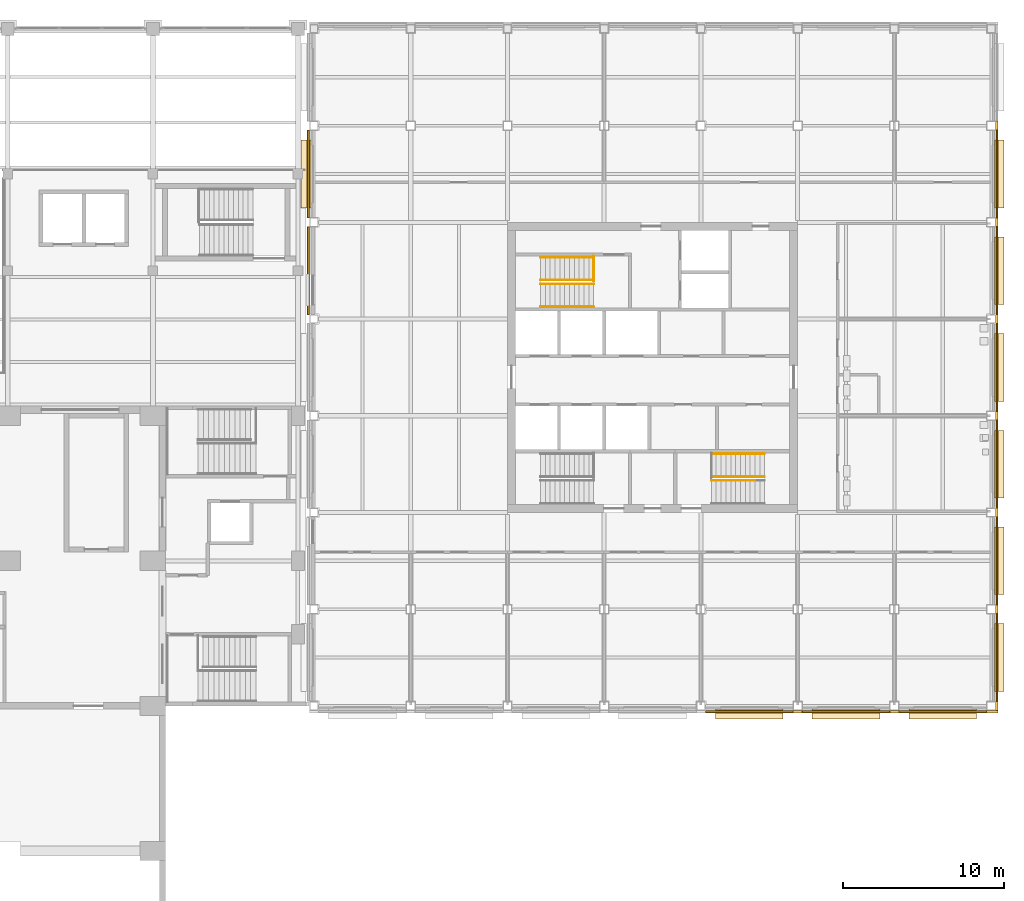
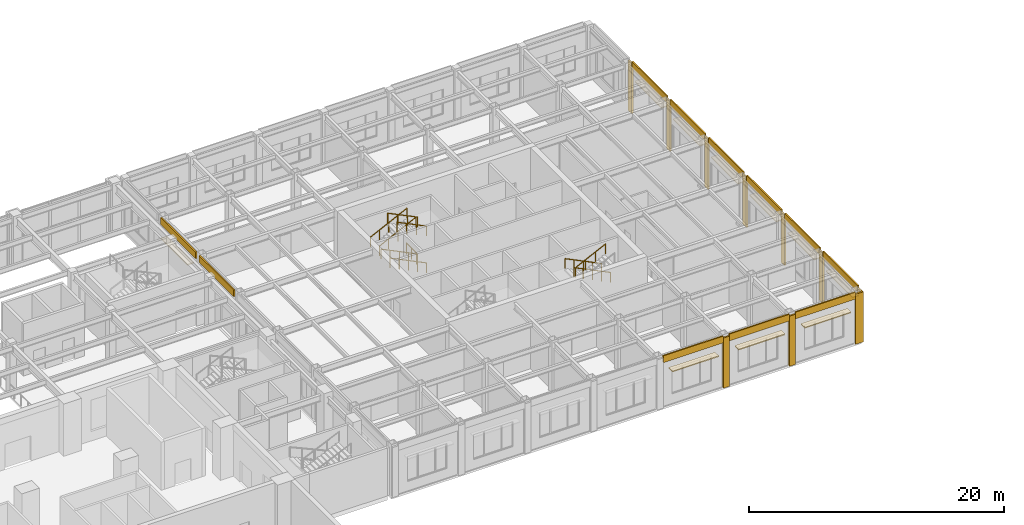
# One storey, part 73 of 76: 31 coverings, 10 railings.
"""IFC4 building model written with IfcOpenShell, lengths in metres."""

from ifc_helpers import new_model, si_unit, direction, frame, origin, origin_2d, place, context, subcontext, project, spatial, polyline, circle, outline, extrude, material, layer, layer_set, type_object, element, save


model = new_model("IFC4")

# Units and contexts
model_context = context("Model", 3, precision=1e-05, world=origin(), true_north=direction((0.0, 1.0)))
body_context = subcontext(model_context, "Body", "Model", "MODEL_VIEW")
ifc_project = project(units=[si_unit("LENGTHUNIT", "METRE"), si_unit("AREAUNIT", "SQUARE_METRE"), si_unit("VOLUMEUNIT", "CUBIC_METRE"), si_unit("PLANEANGLEUNIT", "RADIAN"), si_unit("MASSUNIT", "GRAM", prefix="KILO")], contexts=[model_context])

# Site, building, storey
site_placement = place(None, origin())
site = spatial("IfcSite", under=ifc_project, at=site_placement, CompositionType="ELEMENT")
building_placement = place(site_placement, origin())
building = spatial("IfcBuilding", under=site, at=building_placement, Name="Aravalli Gate Trade Fair Centre", CompositionType="ELEMENT")
storey_placement = place(building_placement, frame((0.0, 0.0, 10.0)))
storey = spatial("IfcBuildingStorey", under=building, at=storey_placement, Name="L02", CompositionType="ELEMENT", Elevation=10.0)

# Coverings
ifc_material_1 = material(Name="Terracotta", Category="masonry")
ifc_layer_1 = layer(ifc_material_1, 0.10009765625)
ifc_layer_set_1 = layer_set([ifc_layer_1], Name="Terracotta")
covering_type_1 = type_object("IfcCoveringType", Name="Wing chhajja hood 100", PredefinedType="MOLDING", material=ifc_layer_set_1)
covering_1_placement = place(storey_placement, frame((0.0, 0.0, 3.449951171875)))
element("IfcCovering", 1, at=covering_1_placement, inside=storey, type_object=covering_type_1, Name="Chhajja hood S4 L02", PredefinedType="MOLDING", context=body_context, shape_type="SweptSolid", body=[
    extrude(outline(polyline([(184.89990234375, 90.199951171875), (189.10009765625, 90.199951171875), (189.10009765625, 90.800048828125), (184.89990234375, 90.800048828125), (184.89990234375, 90.199951171875)])), origin(), (0.0, 0.0, 1.0), 0.10009765625),
])
covering_2_placement = place(storey_placement, frame((0.0, 0.0, 3.449951171875)))
element("IfcCovering", 2, at=covering_2_placement, inside=storey, type_object=covering_type_1, Name="Chhajja hood S5 L02", PredefinedType="MOLDING", context=body_context, shape_type="SweptSolid", body=[
    extrude(outline(polyline([(190.89990234375, 90.199951171875), (195.10009765625, 90.199951171875), (195.10009765625, 90.800048828125), (190.89990234375, 90.800048828125), (190.89990234375, 90.199951171875)])), origin(), (0.0, 0.0, 1.0), 0.10009765625),
])
covering_3_placement = place(storey_placement, frame((0.0, 0.0, 3.449951171875)))
element("IfcCovering", 3, at=covering_3_placement, inside=storey, type_object=covering_type_1, Name="Chhajja hood S6 L02", PredefinedType="MOLDING", context=body_context, shape_type="SweptSolid", body=[
    extrude(outline(polyline([(196.89990234375, 90.199951171875), (201.10009765625, 90.199951171875), (201.10009765625, 90.800048828125), (196.89990234375, 90.800048828125), (196.89990234375, 90.199951171875)])), origin(), (0.0, 0.0, 1.0), 0.10009765625),
])
covering_4_placement = place(storey_placement, frame((0.0, 0.0, 3.449951171875)))
element("IfcCovering", 4, at=covering_4_placement, inside=storey, type_object=covering_type_1, Name="Chhajja hood W5 L02", PredefinedType="MOLDING", context=body_context, shape_type="SweptSolid", body=[
    extrude(outline(polyline([(159.199951171875, 121.89990234375), (159.800048828125, 121.89990234375), (159.800048828125, 126.10009765625), (159.199951171875, 126.10009765625), (159.199951171875, 121.89990234375)])), origin(), (0.0, 0.0, 1.0), 0.10009765625),
])
covering_5_placement = place(storey_placement, frame((0.0, 0.0, 3.449951171875)))
element("IfcCovering", 5, at=covering_5_placement, inside=storey, type_object=covering_type_1, Name="Chhajja hood E0 L02", PredefinedType="MOLDING", context=body_context, shape_type="SweptSolid", body=[
    extrude(outline(polyline([(202.199951171875, 91.89990234375), (202.800048828125, 91.89990234375), (202.800048828125, 96.10009765625), (202.199951171875, 96.10009765625), (202.199951171875, 91.89990234375)])), origin(), (0.0, 0.0, 1.0), 0.10009765625),
])
covering_6_placement = place(storey_placement, frame((0.0, 0.0, 3.449951171875)))
element("IfcCovering", 6, at=covering_6_placement, inside=storey, type_object=covering_type_1, Name="Chhajja hood E1 L02", PredefinedType="MOLDING", context=body_context, shape_type="SweptSolid", body=[
    extrude(outline(polyline([(202.199951171875, 97.89990234375), (202.800048828125, 97.89990234375), (202.800048828125, 102.10009765625), (202.199951171875, 102.10009765625), (202.199951171875, 97.89990234375)])), origin(), (0.0, 0.0, 1.0), 0.10009765625),
])
covering_7_placement = place(storey_placement, frame((0.0, 0.0, 3.449951171875)))
element("IfcCovering", 7, at=covering_7_placement, inside=storey, type_object=covering_type_1, Name="Chhajja hood E2 L02", PredefinedType="MOLDING", context=body_context, shape_type="SweptSolid", body=[
    extrude(outline(polyline([(202.199951171875, 103.89990234375), (202.800048828125, 103.89990234375), (202.800048828125, 108.10009765625), (202.199951171875, 108.10009765625), (202.199951171875, 103.89990234375)])), origin(), (0.0, 0.0, 1.0), 0.10009765625),
])
covering_8_placement = place(storey_placement, frame((0.0, 0.0, 3.449951171875)))
element("IfcCovering", 8, at=covering_8_placement, inside=storey, type_object=covering_type_1, Name="Chhajja hood E3 L02", PredefinedType="MOLDING", context=body_context, shape_type="SweptSolid", body=[
    extrude(outline(polyline([(202.199951171875, 109.89990234375), (202.800048828125, 109.89990234375), (202.800048828125, 114.10009765625), (202.199951171875, 114.10009765625), (202.199951171875, 109.89990234375)])), origin(), (0.0, 0.0, 1.0), 0.10009765625),
])
covering_9_placement = place(storey_placement, frame((0.0, 0.0, 3.449951171875)))
element("IfcCovering", 9, at=covering_9_placement, inside=storey, type_object=covering_type_1, Name="Chhajja hood E4 L02", PredefinedType="MOLDING", context=body_context, shape_type="SweptSolid", body=[
    extrude(outline(polyline([(202.199951171875, 115.89990234375), (202.800048828125, 115.89990234375), (202.800048828125, 120.10009765625), (202.199951171875, 120.10009765625), (202.199951171875, 115.89990234375)])), origin(), (0.0, 0.0, 1.0), 0.10009765625),
])
covering_10_placement = place(storey_placement, frame((0.0, 0.0, 3.449951171875)))
element("IfcCovering", 10, at=covering_10_placement, inside=storey, type_object=covering_type_1, Name="Chhajja hood E5 L02", PredefinedType="MOLDING", context=body_context, shape_type="SweptSolid", body=[
    extrude(outline(polyline([(202.199951171875, 121.89990234375), (202.800048828125, 121.89990234375), (202.800048828125, 126.10009765625), (202.199951171875, 126.10009765625), (202.199951171875, 121.89990234375)])), origin(), (0.0, 0.0, 1.0), 0.10009765625),
])
ifc_material_2 = material(Name="Terracotta lattice", Category="masonry")
ifc_layer_2 = layer(ifc_material_2, 0.1201171875)
ifc_layer_set_2 = layer_set([ifc_layer_2], Name="Terracotta lattice")
covering_type_2 = type_object("IfcCoveringType", Name="Wing jali spandrel panel 120", PredefinedType="CLADDING", material=ifc_layer_set_2)
covering_11_placement = place(storey_placement, frame((0.0, 0.0, 4.35009765625)))
element("IfcCovering", 11, at=covering_11_placement, inside=storey, type_object=covering_type_2, Name="Jali spandrel panel S4 L02", PredefinedType="CLADDING", context=body_context, shape_type="SweptSolid", body=[
    extrude(outline(polyline([(184.27490234375, 90.574951171875), (189.72509765625, 90.574951171875), (189.72509765625, 90.695068359375), (184.27490234375, 90.695068359375), (184.27490234375, 90.574951171875)])), origin(), (0.0, 0.0, 1.0), 0.64990234375),
])
covering_12_placement = place(storey_placement, frame((0.0, 0.0, 4.35009765625)))
element("IfcCovering", 12, at=covering_12_placement, inside=storey, type_object=covering_type_2, Name="Jali spandrel panel S5 L02", PredefinedType="CLADDING", context=body_context, shape_type="SweptSolid", body=[
    extrude(outline(polyline([(190.27490234375, 90.574951171875), (195.72509765625, 90.574951171875), (195.72509765625, 90.695068359375), (190.27490234375, 90.695068359375), (190.27490234375, 90.574951171875)])), origin(), (0.0, 0.0, 1.0), 0.64990234375),
])
covering_13_placement = place(storey_placement, frame((0.0, 0.0, 4.35009765625)))
element("IfcCovering", 13, at=covering_13_placement, inside=storey, type_object=covering_type_2, Name="Jali spandrel panel S6 L02", PredefinedType="CLADDING", context=body_context, shape_type="SweptSolid", body=[
    extrude(outline(polyline([(196.27490234375, 90.574951171875), (201.72509765625, 90.574951171875), (201.72509765625, 90.695068359375), (196.27490234375, 90.695068359375), (196.27490234375, 90.574951171875)])), origin(), (0.0, 0.0, 1.0), 0.64990234375),
])
ifc_material_3 = material(Name="Glazed terracotta", Category="masonry")
ifc_layer_3 = layer(ifc_material_3, 0.14990234375)
ifc_layer_set_3 = layer_set([ifc_layer_3], Name="Glazed terracotta")
covering_type_3 = type_object("IfcCoveringType", Name="Wing pier casing 150", PredefinedType="CLADDING", material=ifc_layer_set_3)
covering_14_placement = place(storey_placement, origin())
element("IfcCovering", 14, at=covering_14_placement, inside=storey, type_object=covering_type_3, Name="Pier casing 23F S L02", PredefinedType="CLADDING", context=body_context, shape_type="SweptSolid", body=[
    extrude(outline(polyline([(189.72509765625, 90.574951171875), (190.27490234375, 90.574951171875), (190.27490234375, 90.72509765625), (189.72509765625, 90.72509765625), (189.72509765625, 90.574951171875)])), origin(), (0.0, 0.0, 1.0), 4.800048828125),
])
covering_15_placement = place(storey_placement, origin())
element("IfcCovering", 15, at=covering_15_placement, inside=storey, type_object=covering_type_3, Name="Pier casing 24F S L02", PredefinedType="CLADDING", context=body_context, shape_type="SweptSolid", body=[
    extrude(outline(polyline([(195.72509765625, 90.574951171875), (196.27490234375, 90.574951171875), (196.27490234375, 90.72509765625), (195.72509765625, 90.72509765625), (195.72509765625, 90.574951171875)])), origin(), (0.0, 0.0, 1.0), 4.800048828125),
])
covering_16_placement = place(storey_placement, origin())
element("IfcCovering", 16, at=covering_16_placement, inside=storey, type_object=covering_type_3, Name="Pier casing 25F S L02", PredefinedType="CLADDING", context=body_context, shape_type="SweptSolid", body=[
    extrude(outline(polyline([(201.72509765625, 90.574951171875), (202.425048828125, 90.574951171875), (202.425048828125, 90.72509765625), (201.72509765625, 90.72509765625), (201.72509765625, 90.574951171875)])), origin(), (0.0, 0.0, 1.0), 4.800048828125),
])
covering_17_placement = place(storey_placement, origin())
element("IfcCovering", 17, at=covering_17_placement, inside=storey, type_object=covering_type_3, Name="Pier casing 25F E L02", PredefinedType="CLADDING", context=body_context, shape_type="SweptSolid", body=[
    extrude(outline(polyline([(202.27490234375, 90.72509765625), (202.425048828125, 90.72509765625), (202.425048828125, 91.27490234375), (202.27490234375, 91.27490234375), (202.27490234375, 90.72509765625)])), origin(), (0.0, 0.0, 1.0), 4.800048828125),
])
covering_18_placement = place(storey_placement, origin())
element("IfcCovering", 18, at=covering_18_placement, inside=storey, type_object=covering_type_3, Name="Pier casing 25T1 E L02", PredefinedType="CLADDING", context=body_context, shape_type="SweptSolid", body=[
    extrude(outline(polyline([(202.27490234375, 96.72509765625), (202.425048828125, 96.72509765625), (202.425048828125, 97.27490234375), (202.27490234375, 97.27490234375), (202.27490234375, 96.72509765625)])), origin(), (0.0, 0.0, 1.0), 4.800048828125),
])
covering_19_placement = place(storey_placement, origin())
element("IfcCovering", 19, at=covering_19_placement, inside=storey, type_object=covering_type_3, Name="Pier casing 25T2 E L02", PredefinedType="CLADDING", context=body_context, shape_type="SweptSolid", body=[
    extrude(outline(polyline([(202.27490234375, 102.72509765625), (202.425048828125, 102.72509765625), (202.425048828125, 103.27490234375), (202.27490234375, 103.27490234375), (202.27490234375, 102.72509765625)])), origin(), (0.0, 0.0, 1.0), 4.800048828125),
])
covering_20_placement = place(storey_placement, origin())
element("IfcCovering", 20, at=covering_20_placement, inside=storey, type_object=covering_type_3, Name="Pier casing 25H E L02", PredefinedType="CLADDING", context=body_context, shape_type="SweptSolid", body=[
    extrude(outline(polyline([(202.27490234375, 108.72509765625), (202.425048828125, 108.72509765625), (202.425048828125, 109.27490234375), (202.27490234375, 109.27490234375), (202.27490234375, 108.72509765625)])), origin(), (0.0, 0.0, 1.0), 4.800048828125),
])
covering_21_placement = place(storey_placement, origin())
element("IfcCovering", 21, at=covering_21_placement, inside=storey, type_object=covering_type_3, Name="Pier casing 25T3 E L02", PredefinedType="CLADDING", context=body_context, shape_type="SweptSolid", body=[
    extrude(outline(polyline([(202.27490234375, 114.72509765625), (202.425048828125, 114.72509765625), (202.425048828125, 115.27490234375), (202.27490234375, 115.27490234375), (202.27490234375, 114.72509765625)])), origin(), (0.0, 0.0, 1.0), 4.800048828125),
])
covering_22_placement = place(storey_placement, origin())
element("IfcCovering", 22, at=covering_22_placement, inside=storey, type_object=covering_type_3, Name="Pier casing 25J E L02", PredefinedType="CLADDING", context=body_context, shape_type="SweptSolid", body=[
    extrude(outline(polyline([(202.27490234375, 120.72509765625), (202.425048828125, 120.72509765625), (202.425048828125, 121.27490234375), (202.27490234375, 121.27490234375), (202.27490234375, 120.72509765625)])), origin(), (0.0, 0.0, 1.0), 4.800048828125),
])
covering_23_placement = place(storey_placement, origin())
element("IfcCovering", 23, at=covering_23_placement, inside=storey, type_object=covering_type_3, Name="Pier casing 25T4 E L02", PredefinedType="CLADDING", context=body_context, shape_type="SweptSolid", body=[
    extrude(outline(polyline([(202.27490234375, 126.72509765625), (202.425048828125, 126.72509765625), (202.425048828125, 127.27490234375), (202.27490234375, 127.27490234375), (202.27490234375, 126.72509765625)])), origin(), (0.0, 0.0, 1.0), 4.800048828125),
])
ifc_layer_4 = layer(ifc_material_3, 0.1201171875)
ifc_layer_set_4 = layer_set([ifc_layer_4], Name="Glazed terracotta")
covering_type_4 = type_object("IfcCoveringType", Name="Wing spandrel band 120", PredefinedType="CLADDING", material=ifc_layer_set_4)
covering_24_placement = place(storey_placement, frame((0.0, 0.0, 4.35009765625)))
element("IfcCovering", 24, at=covering_24_placement, inside=storey, type_object=covering_type_4, Name="Spandrel band W4 L02", PredefinedType="CLADDING", context=body_context, shape_type="SweptSolid", body=[
    extrude(outline(polyline([(159.574951171875, 115.27490234375), (159.695068359375, 115.27490234375), (159.695068359375, 120.72509765625), (159.574951171875, 120.72509765625), (159.574951171875, 115.27490234375)])), origin(), (0.0, 0.0, 1.0), 0.64990234375),
])
covering_25_placement = place(storey_placement, frame((0.0, 0.0, 4.35009765625)))
element("IfcCovering", 25, at=covering_25_placement, inside=storey, type_object=covering_type_4, Name="Spandrel band W5 L02", PredefinedType="CLADDING", context=body_context, shape_type="SweptSolid", body=[
    extrude(outline(polyline([(159.574951171875, 121.27490234375), (159.695068359375, 121.27490234375), (159.695068359375, 126.72509765625), (159.574951171875, 126.72509765625), (159.574951171875, 121.27490234375)])), origin(), (0.0, 0.0, 1.0), 0.64990234375),
])
covering_26_placement = place(storey_placement, frame((0.0, 0.0, 4.35009765625)))
element("IfcCovering", 26, at=covering_26_placement, inside=storey, type_object=covering_type_4, Name="Spandrel band E0 L02", PredefinedType="CLADDING", context=body_context, shape_type="SweptSolid", body=[
    extrude(outline(polyline([(202.304931640625, 91.27490234375), (202.425048828125, 91.27490234375), (202.425048828125, 96.72509765625), (202.304931640625, 96.72509765625), (202.304931640625, 91.27490234375)])), origin(), (0.0, 0.0, 1.0), 0.64990234375),
])
covering_27_placement = place(storey_placement, frame((0.0, 0.0, 4.35009765625)))
element("IfcCovering", 27, at=covering_27_placement, inside=storey, type_object=covering_type_4, Name="Spandrel band E1 L02", PredefinedType="CLADDING", context=body_context, shape_type="SweptSolid", body=[
    extrude(outline(polyline([(202.304931640625, 97.27490234375), (202.425048828125, 97.27490234375), (202.425048828125, 102.72509765625), (202.304931640625, 102.72509765625), (202.304931640625, 97.27490234375)])), origin(), (0.0, 0.0, 1.0), 0.64990234375),
])
covering_28_placement = place(storey_placement, frame((0.0, 0.0, 4.35009765625)))
element("IfcCovering", 28, at=covering_28_placement, inside=storey, type_object=covering_type_4, Name="Spandrel band E2 L02", PredefinedType="CLADDING", context=body_context, shape_type="SweptSolid", body=[
    extrude(outline(polyline([(202.304931640625, 103.27490234375), (202.425048828125, 103.27490234375), (202.425048828125, 108.72509765625), (202.304931640625, 108.72509765625), (202.304931640625, 103.27490234375)])), origin(), (0.0, 0.0, 1.0), 0.64990234375),
])
covering_29_placement = place(storey_placement, frame((0.0, 0.0, 4.35009765625)))
element("IfcCovering", 29, at=covering_29_placement, inside=storey, type_object=covering_type_4, Name="Spandrel band E3 L02", PredefinedType="CLADDING", context=body_context, shape_type="SweptSolid", body=[
    extrude(outline(polyline([(202.304931640625, 109.27490234375), (202.425048828125, 109.27490234375), (202.425048828125, 114.72509765625), (202.304931640625, 114.72509765625), (202.304931640625, 109.27490234375)])), origin(), (0.0, 0.0, 1.0), 0.64990234375),
])
covering_30_placement = place(storey_placement, frame((0.0, 0.0, 4.35009765625)))
element("IfcCovering", 30, at=covering_30_placement, inside=storey, type_object=covering_type_4, Name="Spandrel band E4 L02", PredefinedType="CLADDING", context=body_context, shape_type="SweptSolid", body=[
    extrude(outline(polyline([(202.304931640625, 115.27490234375), (202.425048828125, 115.27490234375), (202.425048828125, 120.72509765625), (202.304931640625, 120.72509765625), (202.304931640625, 115.27490234375)])), origin(), (0.0, 0.0, 1.0), 0.64990234375),
])
covering_31_placement = place(storey_placement, frame((0.0, 0.0, 4.35009765625)))
element("IfcCovering", 31, at=covering_31_placement, inside=storey, type_object=covering_type_4, Name="Spandrel band E5 L02", PredefinedType="CLADDING", context=body_context, shape_type="SweptSolid", body=[
    extrude(outline(polyline([(202.304931640625, 121.27490234375), (202.425048828125, 121.27490234375), (202.425048828125, 126.72509765625), (202.304931640625, 126.72509765625), (202.304931640625, 121.27490234375)])), origin(), (0.0, 0.0, 1.0), 0.64990234375),
])

# Railings
ifc_material_4 = material(Name="Steel E350", Category="steel")
railing_type_1 = type_object("IfcRailingType", Name="Wing stair handrail", PredefinedType="HANDRAIL", material=ifc_material_4)
for number, where, name in (
    (32, (187.949951171875, 105.219970703125, 1.911865234375), "Handrail S1 L02 2a"),
    (33, (187.949951171875, 106.639892578125, 1.911865234375), "Handrail S1 L02 2b"),
):
    element("IfcRailing", number, at=place(storey_placement, frame(where)), inside=storey, type_object=railing_type_1, Name=name, PredefinedType="HANDRAIL", context=body_context, shape_type="SweptSolid", body=[
        extrude(circle(Radius=0.02392578125, at=origin_2d()), frame((0.0, 0.0, 0.92578125), z_axis=(-0.897946461621, 0.0, 0.440104705795), x_axis=(0.0, -1.0, 0.0)), (0.0, 0.0, 1.0), 3.675048828125),
        extrude(circle(Radius=0.02099609375, at=origin_2d()), origin(), (0.0, 0.0, 1.0), 0.90185546875),
        extrude(circle(Radius=0.02099609375, at=origin_2d()), frame((-0.824951171875, 0.0, 0.404296875)), (0.0, 0.0, 1.0), 0.90185546875),
        extrude(circle(Radius=0.02099609375, at=origin_2d()), frame((-1.64990234375, 0.0, 0.80859375)), (0.0, 0.0, 1.0), 0.90185546875),
        extrude(circle(Radius=0.02099609375, at=origin_2d()), frame((-2.47509765625, 0.0, 1.213134765625)), (0.0, 0.0, 1.0), 0.90185546875),
        extrude(circle(Radius=0.02099609375, at=origin_2d()), frame((-3.300048828125, 0.0, 1.617431640625)), (0.0, 0.0, 1.0), 0.90185546875),
    ])
railing_1_placement = place(storey_placement, frame((184.64990234375, 104.97998046875, 3.676513671875)))
element("IfcRailing", 34, at=railing_1_placement, inside=storey, type_object=railing_type_1, Name="Handrail S1 L02 3b", PredefinedType="HANDRAIL", context=body_context, shape_type="SweptSolid", body=[
    extrude(circle(Radius=0.02392578125, at=origin_2d()), frame((0.0, 0.0, 0.92578125), z_axis=(0.897938967857, 0.0, 0.440119995005), x_axis=(0.0, 1.0, 0.0)), (0.0, 0.0, 1.0), 3.007080078125),
    extrude(circle(Radius=0.02099609375, at=origin_2d()), origin(), (0.0, 0.0, 1.0), 0.90185546875),
    extrude(circle(Radius=0.02099609375, at=origin_2d()), frame((0.900146484375, 0.0, 0.441162109375)), (0.0, 0.0, 1.0), 0.90185546875),
    extrude(circle(Radius=0.02099609375, at=origin_2d()), frame((1.800048828125, 0.0, 0.88232421875)), (0.0, 0.0, 1.0), 0.90185546875),
    extrude(circle(Radius=0.02099609375, at=origin_2d()), frame((2.7001953125, 0.0, 1.323486328125)), (0.0, 0.0, 1.0), 0.90185546875),
])
for number, where, name in (
    (35, (177.35009765625, 115.760009765625, 0.14697265625), "Handrail FFS L02 1a"),
    (36, (177.35009765625, 117.179931640625, 0.14697265625), "Handrail FFS L02 1b"),
):
    element("IfcRailing", number, at=place(storey_placement, frame(where)), inside=storey, type_object=railing_type_1, Name=name, PredefinedType="HANDRAIL", context=body_context, shape_type="SweptSolid", body=[
        extrude(circle(Radius=0.02392578125, at=origin_2d()), frame((0.0, 0.0, 0.92578125), z_axis=(-0.897920207933, 0.0, 0.440158267202), x_axis=(0.0, -1.0, 0.0)), (0.0, 0.0, 1.0), 3.67529296875),
        extrude(circle(Radius=0.02099609375, at=origin_2d()), origin(), (0.0, 0.0, 1.0), 0.90185546875),
        extrude(circle(Radius=0.02099609375, at=origin_2d()), frame((-0.824951171875, 0.0, 0.404296875)), (0.0, 0.0, 1.0), 0.90185546875),
        extrude(circle(Radius=0.02099609375, at=origin_2d()), frame((-1.64990234375, 0.0, 0.808837890625)), (0.0, 0.0, 1.0), 0.90185546875),
        extrude(circle(Radius=0.02099609375, at=origin_2d()), frame((-2.47509765625, 0.0, 1.21337890625)), (0.0, 0.0, 1.0), 0.90185546875),
        extrude(circle(Radius=0.02099609375, at=origin_2d()), frame((-3.300048828125, 0.0, 1.61767578125)), (0.0, 0.0, 1.0), 0.90185546875),
    ])
for number, where, name in (
    (37, (174.050048828125, 117.419921875, 1.911865234375), "Handrail FFS L02 2a"),
    (38, (174.050048828125, 118.840087890625, 1.911865234375), "Handrail FFS L02 2b"),
):
    element("IfcRailing", number, at=place(storey_placement, frame(where)), inside=storey, type_object=railing_type_1, Name=name, PredefinedType="HANDRAIL", context=body_context, shape_type="SweptSolid", body=[
        extrude(circle(Radius=0.02392578125, at=origin_2d()), frame((0.0, 0.0, 0.92578125), z_axis=(0.897946461621, 0.0, 0.440104705795), x_axis=(0.0, 1.0, 0.0)), (0.0, 0.0, 1.0), 3.675048828125),
        extrude(circle(Radius=0.02099609375, at=origin_2d()), origin(), (0.0, 0.0, 1.0), 0.90185546875),
        extrude(circle(Radius=0.02099609375, at=origin_2d()), frame((0.824951171875, 0.0, 0.404296875)), (0.0, 0.0, 1.0), 0.90185546875),
        extrude(circle(Radius=0.02099609375, at=origin_2d()), frame((1.64990234375, 0.0, 0.80859375)), (0.0, 0.0, 1.0), 0.90185546875),
        extrude(circle(Radius=0.02099609375, at=origin_2d()), frame((2.47509765625, 0.0, 1.213134765625)), (0.0, 0.0, 1.0), 0.90185546875),
        extrude(circle(Radius=0.02099609375, at=origin_2d()), frame((3.300048828125, 0.0, 1.617431640625)), (0.0, 0.0, 1.0), 0.90185546875),
    ])
for number, where, name in (
    (39, (177.35009765625, 115.760009765625, 3.676513671875), "Handrail FFS L02 3a"),
    (40, (177.35009765625, 117.179931640625, 3.676513671875), "Handrail FFS L02 3b"),
):
    element("IfcRailing", number, at=place(storey_placement, frame(where)), inside=storey, type_object=railing_type_1, Name=name, PredefinedType="HANDRAIL", context=body_context, shape_type="SweptSolid", body=[
        extrude(circle(Radius=0.02392578125, at=origin_2d()), frame((0.0, 0.0, 0.92578125), z_axis=(-0.897938967857, 0.0, 0.440119995005), x_axis=(0.0, -1.0, 0.0)), (0.0, 0.0, 1.0), 3.007080078125),
        extrude(circle(Radius=0.02099609375, at=origin_2d()), origin(), (0.0, 0.0, 1.0), 0.90185546875),
        extrude(circle(Radius=0.02099609375, at=origin_2d()), frame((-0.900146484375, 0.0, 0.441162109375)), (0.0, 0.0, 1.0), 0.90185546875),
        extrude(circle(Radius=0.02099609375, at=origin_2d()), frame((-1.800048828125, 0.0, 0.88232421875)), (0.0, 0.0, 1.0), 0.90185546875),
        extrude(circle(Radius=0.02099609375, at=origin_2d()), frame((-2.7001953125, 0.0, 1.323486328125)), (0.0, 0.0, 1.0), 0.90185546875),
    ])
railing_type_2 = type_object("IfcRailingType", Name="Wing stair roof guard", PredefinedType="GUARDRAIL", material=ifc_material_4)
railing_2_placement = place(storey_placement, frame((177.35009765625, 117.360107421875, 0.0)))
element("IfcRailing", 41, at=railing_2_placement, inside=storey, type_object=railing_type_2, Name="Guard FFS landing L02", PredefinedType="GUARDRAIL", context=body_context, shape_type="SweptSolid", body=[
    extrude(circle(Radius=0.02392578125, at=origin_2d()), frame((0.0, 0.0, 1.076171875), z_axis=(0.0, 1.0, 0.0), x_axis=(-1.0, 0.0, 0.0)), (0.0, 0.0, 1.0), 1.539794921875),
    extrude(circle(Radius=0.02099609375, at=origin_2d()), origin(), (0.0, 0.0, 1.0), 1.052001953125),
    extrude(circle(Radius=0.02099609375, at=origin_2d()), frame((0.0, 0.77001953125, 0.0)), (0.0, 0.0, 1.0), 1.052001953125),
    extrude(circle(Radius=0.02099609375, at=origin_2d()), frame((0.0, 1.539794921875, 0.0)), (0.0, 0.0, 1.0), 1.052001953125),
])

save(model, "model.ifc")
